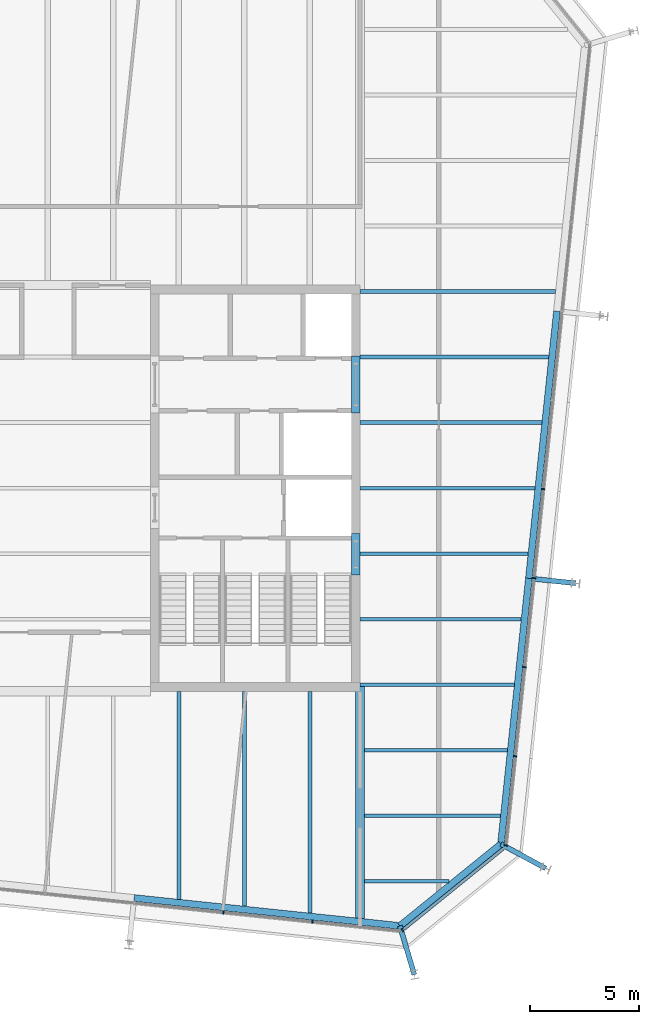
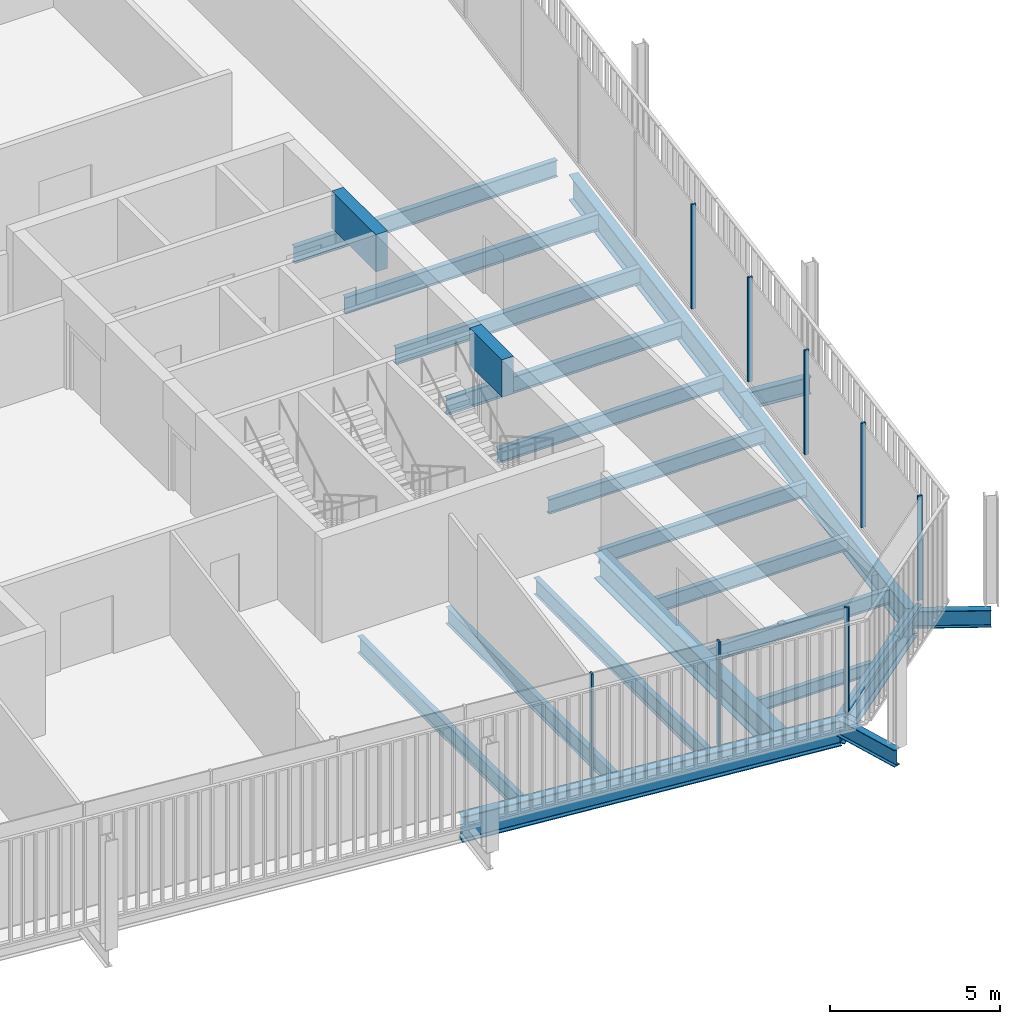
# One storey, part 9 of 20: 23 beams, 9 members, 3 elements without a shape of their own.
"""IFC4 building model written with IfcOpenShell, lengths in metres."""

from ifc_helpers import new_model, si_unit, direction, frame, origin, origin_2d, place, context, subcontext, project, spatial, rectangle, i_section, extrude, material, layer, layer_set, material_profile, profile_set, type_object, element, aggregate, save


model = new_model("IFC4")

# Units and contexts
model_context = context("Model", 3, precision=1e-05, world=origin(), true_north=direction((0.0, 1.0)))
body_context = subcontext(model_context, "Body", "Model", "MODEL_VIEW")
ifc_project = project(units=[si_unit("LENGTHUNIT", "METRE"), si_unit("AREAUNIT", "SQUARE_METRE"), si_unit("VOLUMEUNIT", "CUBIC_METRE"), si_unit("PLANEANGLEUNIT", "RADIAN"), si_unit("MASSUNIT", "GRAM", prefix="KILO")], contexts=[model_context])

# Site, building, storey
site_placement = place(None, origin())
site = spatial("IfcSite", under=ifc_project, at=site_placement, CompositionType="ELEMENT")
building_placement = place(site_placement, origin())
building = spatial("IfcBuilding", under=site, at=building_placement, Name="Millrace Tower", CompositionType="ELEMENT")
storey_placement = place(building_placement, frame((0.0, 0.0, 287.699951171875)))
storey = spatial("IfcBuildingStorey", under=building, at=storey_placement, Name="L66", CompositionType="ELEMENT", Elevation=287.699951171875)

# Curtain wall, members
ifc_material_1 = material(Name="Aluminium and glass", Category="aluminium")
ifc_layer = layer(ifc_material_1, 0.14990234375)
ifc_layer_set = layer_set([ifc_layer], Name="Aluminium and glass")
curtain_wall_type = type_object("IfcCurtainWallType", Name="CW-1 office vision curtain wall", PredefinedType="NOTDEFINED", material=ifc_layer_set)
placement = place(storey_placement, origin())
curtain_wall_1 = element("IfcCurtainWall", 1, at=placement, inside=storey, type_object=curtain_wall_type, Name="Curtain wall E-F02 L66", PredefinedType="NOTDEFINED")
ifc_material_2 = material(Name="Aluminium", Category="aluminium")
ifc_material_profile_1 = material_profile(ifc_material_2, rectangle(XDim=0.06494140625, YDim=0.14990234375, at=origin_2d()))
ifc_profile_set_1 = profile_set([ifc_material_profile_1], Name="Aluminium")
member_type_1 = type_object("IfcMemberType", Name="CW-1 office vision curtain wall mullion", PredefinedType="MULLION", material=ifc_profile_set_1)
member_1_placement = place(storey_placement, frame((8.040283203125, -19.4248046875, 0.14013671875), z_axis=(0.0, 0.0, 1.0), x_axis=(0.994521896217, -0.104528455196, 0.0)))
member_1 = element("IfcMember", 2, at=member_1_placement, type_object=member_type_1, Name="CW1 mullion E-F02.8", PredefinedType="MULLION", context=body_context, shape_type="SweptSolid", body=[
    extrude(rectangle(XDim=0.06494140625, YDim=0.14990234375, at=origin_2d()), origin(), (0.0, 0.0, 1.0), 3.760009765625),
])
member_2_placement = place(storey_placement, frame((12.117919921875, -19.853271484375, 0.14013671875), z_axis=(0.0, 0.0, 1.0), x_axis=(0.994521896217, -0.104528455196, 0.0)))
member_2 = element("IfcMember", 3, at=member_2_placement, type_object=member_type_1, Name="CW1 mullion E-F02.9", PredefinedType="MULLION", context=body_context, shape_type="SweptSolid", body=[
    extrude(rectangle(XDim=0.06494140625, YDim=0.14990234375, at=origin_2d()), origin(), (0.0, 0.0, 1.0), 3.760009765625),
])
aggregate(curtain_wall_1, [member_1, member_2])

# Curtain wall, member
curtain_wall_2 = element("IfcCurtainWall", 4, at=placement, inside=storey, type_object=curtain_wall_type, Name="Curtain wall E-F03 L66", PredefinedType="NOTDEFINED")
member_3_placement = place(storey_placement, frame((16.243408203125, -20.24169921875, 0.14013671875), z_axis=(0.0, 0.0, 1.0), x_axis=(0.777146052237, 0.629320278945, 0.0)))
member_3 = element("IfcMember", 5, at=member_3_placement, type_object=member_type_1, Name="CW1 mullion E-F03.1", PredefinedType="MULLION", context=body_context, shape_type="SweptSolid", body=[
    extrude(rectangle(XDim=0.06494140625, YDim=0.14990234375, at=origin_2d()), origin(), (0.0, 0.0, 1.0), 3.760009765625),
])

# Curtain wall, members
curtain_wall_3 = element("IfcCurtainWall", 6, at=placement, inside=storey, type_object=curtain_wall_type, Name="Curtain wall E-F04 L66", PredefinedType="NOTDEFINED")
member_4_placement = place(storey_placement, frame((20.974853515625, -16.3525390625, 0.14013671875), z_axis=(0.0, 0.0, 1.0), x_axis=(0.104528455196, 0.994521896217, 0.0)))
member_4 = element("IfcMember", 7, at=member_4_placement, type_object=member_type_1, Name="CW1 mullion E-F04.1", PredefinedType="MULLION", context=body_context, shape_type="SweptSolid", body=[
    extrude(rectangle(XDim=0.06494140625, YDim=0.14990234375, at=origin_2d()), origin(), (0.0, 0.0, 1.0), 3.760009765625),
])
member_5_placement = place(storey_placement, frame((21.4033203125, -12.27490234375, 0.14013671875), z_axis=(0.0, 0.0, 1.0), x_axis=(0.104528455196, 0.994521896217, 0.0)))
member_5 = element("IfcMember", 8, at=member_5_placement, type_object=member_type_1, Name="CW1 mullion E-F04.2", PredefinedType="MULLION", context=body_context, shape_type="SweptSolid", body=[
    extrude(rectangle(XDim=0.06494140625, YDim=0.14990234375, at=origin_2d()), origin(), (0.0, 0.0, 1.0), 3.760009765625),
])
member_6_placement = place(storey_placement, frame((21.83203125, -8.197509765625, 0.14013671875), z_axis=(0.0, 0.0, 1.0), x_axis=(0.104528455196, 0.994521896217, 0.0)))
member_6 = element("IfcMember", 9, at=member_6_placement, type_object=member_type_1, Name="CW1 mullion E-F04.3", PredefinedType="MULLION", context=body_context, shape_type="SweptSolid", body=[
    extrude(rectangle(XDim=0.06494140625, YDim=0.14990234375, at=origin_2d()), origin(), (0.0, 0.0, 1.0), 3.760009765625),
])
member_7_placement = place(storey_placement, frame((22.260498046875, -4.119873046875, 0.14013671875), z_axis=(0.0, 0.0, 1.0), x_axis=(0.104528455196, 0.994521896217, 0.0)))
member_7 = element("IfcMember", 10, at=member_7_placement, type_object=member_type_1, Name="CW1 mullion E-F04.4", PredefinedType="MULLION", context=body_context, shape_type="SweptSolid", body=[
    extrude(rectangle(XDim=0.06494140625, YDim=0.14990234375, at=origin_2d()), origin(), (0.0, 0.0, 1.0), 3.760009765625),
])
member_8_placement = place(storey_placement, frame((22.68896484375, -0.042236328125, 0.14013671875), z_axis=(0.0, 0.0, 1.0), x_axis=(0.104528455196, 0.994521896217, 0.0)))
member_8 = element("IfcMember", 11, at=member_8_placement, type_object=member_type_1, Name="CW1 mullion E-F04.5", PredefinedType="MULLION", context=body_context, shape_type="SweptSolid", body=[
    extrude(rectangle(XDim=0.06494140625, YDim=0.14990234375, at=origin_2d()), origin(), (0.0, 0.0, 1.0), 3.760009765625),
])
aggregate(curtain_wall_3, [member_4, member_5, member_6, member_7, member_8])

# Member
ifc_material_3 = material(Name="Aluminium", Category="aluminium")
ifc_material_profile_2 = material_profile(ifc_material_3, rectangle(XDim=0.14990234375, YDim=0.139892578125, at=origin_2d()))
ifc_profile_set_2 = profile_set([ifc_material_profile_2], Name="Aluminium")
member_type_2 = type_object("IfcMemberType", Name="CW-1 office vision curtain wall transom", PredefinedType="USERDEFINED", material=ifc_profile_set_2)
member_9_placement = place(storey_placement, frame((16.2958984375, -20.19921875, 0.070068359375), z_axis=(0.77714915117, 0.629316452061, 0.0), x_axis=(-0.629316452061, 0.77714915117, 0.0)))
member_9 = element("IfcMember", 12, at=member_9_placement, type_object=member_type_2, Name="CW1 transom E-F03.1", ObjectType="TRANSOM", PredefinedType="USERDEFINED", context=body_context, shape_type="SweptSolid", body=[
    extrude(rectangle(XDim=0.14990234375, YDim=0.139892578125, at=origin_2d()), origin(), (0.0, 0.0, 1.0), 5.880859375),
])

aggregate(curtain_wall_2, [member_3, member_9])

# Beams
ifc_material_4 = material(Name="Concrete C60", Category="concrete")
ifc_material_profile_3 = material_profile(ifc_material_4, rectangle(XDim=0.39990234375, YDim=1.340087890625, at=origin_2d()))
ifc_profile_set_3 = profile_set([ifc_material_profile_3], Name="Concrete C60")
beam_type_1 = type_object("IfcBeamType", Name="Coupling beam 400 x 1340 Concrete C60, 1300 opening", PredefinedType="BEAM", material=ifc_profile_set_3)
beam_1_placement = place(storey_placement, frame((14.10009765625, -2.080078125, 3.070068359375), z_axis=(0.0, -1.0, 0.0), x_axis=(1.0, 0.0, 0.0)))
element("IfcBeam", 13, at=beam_1_placement, inside=storey, type_object=beam_type_1, Name="Coupling beam E L66", PredefinedType="BEAM", context=body_context, shape_type="SweptSolid", body=[
    extrude(rectangle(XDim=0.39990234375, YDim=1.340087890625, at=origin_2d()), origin(), (0.0, 0.0, 1.0), 1.89990234375),
])
ifc_material_5 = material(Name="Concrete C60", Category="concrete")
ifc_material_profile_4 = material_profile(ifc_material_5, rectangle(XDim=0.39990234375, YDim=1.340087890625, at=origin_2d()))
ifc_profile_set_4 = profile_set([ifc_material_profile_4], Name="Concrete C60")
beam_type_2 = type_object("IfcBeamType", Name="Coupling beam 400 x 1340 Concrete C60, 2000 opening", PredefinedType="BEAM", material=ifc_profile_set_4)
beam_2_placement = place(storey_placement, frame((14.10009765625, 6.050048828125, 3.070068359375), z_axis=(0.0, -1.0, 0.0), x_axis=(1.0, 0.0, 0.0)))
element("IfcBeam", 14, at=beam_2_placement, inside=storey, type_object=beam_type_2, Name="Coupling beam E L66", PredefinedType="BEAM", context=body_context, shape_type="SweptSolid", body=[
    extrude(rectangle(XDim=0.39990234375, YDim=1.340087890625, at=origin_2d()), origin(), (0.0, 0.0, 1.0), 2.60009765625),
])
ifc_material_6 = material(Name="Steel ASTM A992 Grade 50", Category="steel")
ifc_material_profile_5 = material_profile(ifc_material_6, i_section(OverallWidth=0.15234375, OverallDepth=0.449462890625, WebThickness=0.007568359375, FlangeThickness=0.0107421875, FilletRadius=0.01025390625, at=origin_2d()))
ifc_profile_set_5 = profile_set([ifc_material_profile_5], Name="Steel ASTM A992 Grade 50")
beam_type_3 = type_object("IfcBeamType", Name="Floor beam W18x35", PredefinedType="JOIST", material=ifc_profile_set_5)
beam_3_placement = place(storey_placement, frame((14.509521484375, -18.0, -0.384765625), z_axis=(1.0, 0.0, 0.0), x_axis=(0.0, 1.0, 0.0)))
element("IfcBeam", 15, at=beam_3_placement, inside=storey, type_object=beam_type_3, Name="BM-E-L66-S1-S001", PredefinedType="JOIST", context=body_context, shape_type="SweptSolid", body=[
    extrude(i_section(OverallWidth=0.15234375, OverallDepth=0.449462890625, WebThickness=0.007568359375, FlangeThickness=0.0107421875, FilletRadius=0.01025390625, at=origin_2d()), origin(), (0.0, 0.0, 1.0), 3.87060546875),
])
ifc_material_7 = material(Name="Steel ASTM A992 Grade 50", Category="steel")
ifc_material_profile_6 = material_profile(ifc_material_7, i_section(OverallWidth=0.1650390625, OverallDepth=0.52587890625, WebThickness=0.0087890625, FlangeThickness=0.011474609375, FilletRadius=0.0126953125, at=origin_2d()))
ifc_profile_set_6 = profile_set([ifc_material_profile_6], Name="Steel ASTM A992 Grade 50")
beam_type_4 = type_object("IfcBeamType", Name="Floor beam W21x44", PredefinedType="JOIST", material=ifc_profile_set_6)
beam_4_placement = place(storey_placement, frame((14.509521484375, -15.0, -0.4228515625), z_axis=(1.0, 0.0, 0.0), x_axis=(0.0, 1.0, 0.0)))
element("IfcBeam", 16, at=beam_4_placement, inside=storey, type_object=beam_type_4, Name="BM-E-L66-S1-S003", PredefinedType="JOIST", context=body_context, shape_type="SweptSolid", body=[
    extrude(i_section(OverallWidth=0.1650390625, OverallDepth=0.52587890625, WebThickness=0.0087890625, FlangeThickness=0.011474609375, FilletRadius=0.0126953125, at=origin_2d()), origin(), (0.0, 0.0, 1.0), 6.222900390625),
])
beam_5_placement = place(storey_placement, frame((14.509521484375, -12.0, -0.4228515625), z_axis=(1.0, 0.0, 0.0), x_axis=(0.0, 1.0, 0.0)))
element("IfcBeam", 17, at=beam_5_placement, inside=storey, type_object=beam_type_4, Name="BM-E-L66-S1-S005", PredefinedType="JOIST", context=body_context, shape_type="SweptSolid", body=[
    extrude(i_section(OverallWidth=0.1650390625, OverallDepth=0.52587890625, WebThickness=0.0087890625, FlangeThickness=0.011474609375, FilletRadius=0.0126953125, at=origin_2d()), origin(), (0.0, 0.0, 1.0), 6.538330078125),
])
beam_6_placement = place(storey_placement, frame((14.300048828125, -9.0, -0.4228515625), z_axis=(1.0, 0.0, 0.0), x_axis=(0.0, 1.0, 0.0)))
element("IfcBeam", 18, at=beam_6_placement, inside=storey, type_object=beam_type_4, Name="BM-E-L66-S1-S007", PredefinedType="JOIST", context=body_context, shape_type="SweptSolid", body=[
    extrude(i_section(OverallWidth=0.1650390625, OverallDepth=0.52587890625, WebThickness=0.0087890625, FlangeThickness=0.011474609375, FilletRadius=0.0126953125, at=origin_2d()), origin(), (0.0, 0.0, 1.0), 7.06298828125),
])
beam_7_placement = place(storey_placement, frame((14.300048828125, -6.0, -0.4228515625), z_axis=(1.0, 0.0, 0.0), x_axis=(0.0, 1.0, 0.0)))
element("IfcBeam", 19, at=beam_7_placement, inside=storey, type_object=beam_type_4, Name="BM-E-L66-S1-S010", PredefinedType="JOIST", context=body_context, shape_type="SweptSolid", body=[
    extrude(i_section(OverallWidth=0.1650390625, OverallDepth=0.52587890625, WebThickness=0.0087890625, FlangeThickness=0.011474609375, FilletRadius=0.0126953125, at=origin_2d()), origin(), (0.0, 0.0, 1.0), 7.37841796875),
])
beam_8_placement = place(storey_placement, frame((14.300048828125, -3.0, -0.4228515625), z_axis=(1.0, 0.0, 0.0), x_axis=(0.0, 1.0, 0.0)))
element("IfcBeam", 20, at=beam_8_placement, inside=storey, type_object=beam_type_4, Name="BM-E-L66-S1-S013", PredefinedType="JOIST", context=body_context, shape_type="SweptSolid", body=[
    extrude(i_section(OverallWidth=0.1650390625, OverallDepth=0.52587890625, WebThickness=0.0087890625, FlangeThickness=0.011474609375, FilletRadius=0.0126953125, at=origin_2d()), origin(), (0.0, 0.0, 1.0), 7.693603515625),
])
ifc_material_8 = material(Name="Steel ASTM A992 Grade 50", Category="steel")
ifc_material_profile_7 = material_profile(ifc_material_8, i_section(OverallWidth=0.177978515625, OverallDepth=0.599365234375, WebThickness=0.010009765625, FlangeThickness=0.012939453125, FilletRadius=0.012939453125, at=origin_2d()))
ifc_profile_set_7 = profile_set([ifc_material_profile_7], Name="Steel ASTM A992 Grade 50")
beam_type_5 = type_object("IfcBeamType", Name="Floor beam W24x55", PredefinedType="JOIST", material=ifc_profile_set_7)
beam_9_placement = place(storey_placement, frame((14.300048828125, 0.0, -0.459716796875), z_axis=(1.0, 0.0, 0.0), x_axis=(0.0, 1.0, 0.0)))
element("IfcBeam", 21, at=beam_9_placement, inside=storey, type_object=beam_type_5, Name="BM-E-L66-S1-S016", PredefinedType="JOIST", context=body_context, shape_type="SweptSolid", body=[
    extrude(i_section(OverallWidth=0.177978515625, OverallDepth=0.599365234375, WebThickness=0.010009765625, FlangeThickness=0.012939453125, FilletRadius=0.012939453125, at=origin_2d()), origin(), (0.0, 0.0, 1.0), 8.009033203125),
])
beam_10_placement = place(storey_placement, frame((14.300048828125, 3.0, -0.459716796875), z_axis=(1.0, 0.0, 0.0), x_axis=(0.0, 1.0, 0.0)))
element("IfcBeam", 22, at=beam_10_placement, inside=storey, type_object=beam_type_5, Name="BM-E-L66-S1-S019", PredefinedType="JOIST", context=body_context, shape_type="SweptSolid", body=[
    extrude(i_section(OverallWidth=0.177978515625, OverallDepth=0.599365234375, WebThickness=0.010009765625, FlangeThickness=0.012939453125, FilletRadius=0.012939453125, at=origin_2d()), origin(), (0.0, 0.0, 1.0), 8.324462890625),
])
beam_11_placement = place(storey_placement, frame((14.300048828125, 6.0, -0.459716796875), z_axis=(1.0, 0.0, 0.0), x_axis=(0.0, 1.0, 0.0)))
element("IfcBeam", 23, at=beam_11_placement, inside=storey, type_object=beam_type_5, Name="BM-E-L66-S1-S022", PredefinedType="JOIST", context=body_context, shape_type="SweptSolid", body=[
    extrude(i_section(OverallWidth=0.177978515625, OverallDepth=0.599365234375, WebThickness=0.010009765625, FlangeThickness=0.012939453125, FilletRadius=0.012939453125, at=origin_2d()), origin(), (0.0, 0.0, 1.0), 8.6396484375),
])
beam_12_placement = place(storey_placement, frame((14.300048828125, 9.0, -0.459716796875), z_axis=(1.0, 0.0, 0.0), x_axis=(0.0, 1.0, 0.0)))
element("IfcBeam", 24, at=beam_12_placement, inside=storey, type_object=beam_type_5, Name="BM-E-L66-S1-S024", PredefinedType="JOIST", context=body_context, shape_type="SweptSolid", body=[
    extrude(i_section(OverallWidth=0.177978515625, OverallDepth=0.599365234375, WebThickness=0.010009765625, FlangeThickness=0.012939453125, FilletRadius=0.012939453125, at=origin_2d()), origin(), (0.0, 0.0, 1.0), 8.955078125),
])
beam_13_placement = place(storey_placement, frame((6.0, -18.825927734375, -0.459716796875), z_axis=(0.0, 1.0, 0.0), x_axis=(-1.0, 0.0, 0.0)))
element("IfcBeam", 25, at=beam_13_placement, inside=storey, type_object=beam_type_5, Name="BM-E-L66-S1-S049", PredefinedType="JOIST", context=body_context, shape_type="SweptSolid", body=[
    extrude(i_section(OverallWidth=0.177978515625, OverallDepth=0.599365234375, WebThickness=0.010009765625, FlangeThickness=0.012939453125, FilletRadius=0.012939453125, at=origin_2d()), origin(), (0.0, 0.0, 1.0), 9.52587890625),
])
beam_14_placement = place(storey_placement, frame((9.0, -19.14111328125, -0.459716796875), z_axis=(0.0, 1.0, 0.0), x_axis=(-1.0, 0.0, 0.0)))
element("IfcBeam", 26, at=beam_14_placement, inside=storey, type_object=beam_type_5, Name="BM-E-L66-S1-S051", PredefinedType="JOIST", context=body_context, shape_type="SweptSolid", body=[
    extrude(i_section(OverallWidth=0.177978515625, OverallDepth=0.599365234375, WebThickness=0.010009765625, FlangeThickness=0.012939453125, FilletRadius=0.012939453125, at=origin_2d()), origin(), (0.0, 0.0, 1.0), 9.841064453125),
])
ifc_material_9 = material(Name="Steel ASTM A992 Grade 50", Category="steel")
ifc_material_profile_8 = material_profile(ifc_material_9, i_section(OverallWidth=0.1787109375, OverallDepth=0.60205078125, WebThickness=0.010986328125, FlangeThickness=0.014892578125, FilletRadius=0.0126953125, at=origin_2d()))
ifc_profile_set_8 = profile_set([ifc_material_profile_8], Name="Steel ASTM A992 Grade 50")
beam_type_6 = type_object("IfcBeamType", Name="Floor beam W24x62", PredefinedType="JOIST", material=ifc_profile_set_8)
beam_15_placement = place(storey_placement, frame((12.0, -19.45654296875, -0.4609375), z_axis=(0.0, 1.0, 0.0), x_axis=(-1.0, 0.0, 0.0)))
element("IfcBeam", 27, at=beam_15_placement, inside=storey, type_object=beam_type_6, Name="BM-E-L66-S1-S053", PredefinedType="JOIST", context=body_context, shape_type="SweptSolid", body=[
    extrude(i_section(OverallWidth=0.1787109375, OverallDepth=0.60205078125, WebThickness=0.010986328125, FlangeThickness=0.014892578125, FilletRadius=0.0126953125, at=origin_2d()), origin(), (0.0, 0.0, 1.0), 10.156494140625),
])
ifc_material_10 = material(Name="Steel ASTM A992 Grade 50", Category="steel")
ifc_material_profile_9 = material_profile(ifc_material_10, i_section(OverallWidth=0.419189453125, OverallDepth=0.927001953125, WebThickness=0.019287109375, FlangeThickness=0.031982421875, FilletRadius=0.024169921875, at=origin_2d()))
ifc_profile_set_9 = profile_set([ifc_material_profile_9], Name="Steel ASTM A992 Grade 50")
beam_type_7 = type_object("IfcBeamType", Name="Girder short span W36x231", PredefinedType="BEAM", material=ifc_profile_set_9)
beam_16_placement = place(storey_placement, frame((14.300048828125, -19.6982421875, -0.62353515625), z_axis=(0.0, 1.0, 0.0), x_axis=(-1.0, 0.0, 0.0)))
element("IfcBeam", 28, at=beam_16_placement, inside=storey, type_object=beam_type_7, Name="BM-E-L66-S1-G057", PredefinedType="BEAM", context=body_context, shape_type="SweptSolid", body=[
    extrude(i_section(OverallWidth=0.419189453125, OverallDepth=0.927001953125, WebThickness=0.019287109375, FlangeThickness=0.031982421875, FilletRadius=0.024169921875, at=origin_2d()), origin(), (0.0, 0.0, 1.0), 10.6142578125),
])
ifc_material_11 = material(Name="Steel ASTM A992 Grade 50", Category="steel")
ifc_material_profile_10 = material_profile(ifc_material_11, i_section(OverallWidth=0.23046875, OverallDepth=0.6171875, WebThickness=0.01318359375, FlangeThickness=0.022216796875, FilletRadius=0.012939453125, at=origin_2d()))
ifc_profile_set_10 = profile_set([ifc_material_profile_10], Name="Steel ASTM A992 Grade 50")
beam_type_8 = type_object("IfcBeamType", Name="Link beam W24x94", PredefinedType="BEAM", material=ifc_profile_set_10)
beam_17_placement = place(storey_placement, frame((22.1826171875, -4.144287109375, -0.468505859375), z_axis=(0.99452550138, -0.104494148666, 0.0), x_axis=(0.104494148666, 0.99452550138, 0.0)))
element("IfcBeam", 29, at=beam_17_placement, inside=storey, type_object=beam_type_8, Name="LNK-E-L66-S1-11", PredefinedType="BEAM", context=body_context, shape_type="SweptSolid", body=[
    extrude(i_section(OverallWidth=0.23046875, OverallDepth=0.6171875, WebThickness=0.01318359375, FlangeThickness=0.022216796875, FilletRadius=0.012939453125, at=origin_2d()), origin(), (0.0, 0.0, 1.0), 2.0),
])
for number, where, z_axis, x_axis, name in (
    (30, (20.750732421875, -16.297607421875, -0.468505859375), (0.87881453358, -0.477163510307, 0.0), (0.477163510307, 0.87881453358, 0.0), "LNK-E-L66-S1-12"),
    (31, (16.123779296875, -20.04443359375, -0.468505859375), (0.283934988541, -0.958843533785, 0.0), (0.958843533785, 0.283934988541, 0.0), "LNK-E-L66-S1-13"),
):
    element("IfcBeam", number, at=place(storey_placement, frame(where, z_axis=z_axis, x_axis=x_axis)), inside=storey, type_object=beam_type_8, Name=name, PredefinedType="BEAM", context=body_context, shape_type="SweptSolid", body=[
        extrude(i_section(OverallWidth=0.23046875, OverallDepth=0.6171875, WebThickness=0.01318359375, FlangeThickness=0.022216796875, FilletRadius=0.012939453125, at=origin_2d()), origin(), (0.0, 0.0, 1.0), 2.3310546875),
    ])
ifc_material_12 = material(Name="Steel ASTM A992 Grade 50", Category="steel")
ifc_material_profile_11 = material_profile(ifc_material_12, i_section(OverallWidth=0.307373046875, OverallDepth=0.927001953125, WebThickness=0.01953125, FlangeThickness=0.031982421875, FilletRadius=0.01904296875, at=origin_2d()))
ifc_profile_set_11 = profile_set([ifc_material_profile_11], Name="Steel ASTM A992 Grade 50")
beam_type_9 = type_object("IfcBeamType", Name="Ring beam medium span W36x194", PredefinedType="SPANDREL", material=ifc_profile_set_11)
beam_18_placement = place(storey_placement, frame((23.3154296875, 8.104248046875, -0.62353515625), z_axis=(-0.10452566363, -0.994522189618, 0.0), x_axis=(0.994522189618, -0.10452566363, 0.0)))
element("IfcBeam", 32, at=beam_18_placement, inside=storey, type_object=beam_type_9, Name="RNG-E-L66-S1-10", PredefinedType="SPANDREL", context=body_context, shape_type="SweptSolid", body=[
    extrude(i_section(OverallWidth=0.307373046875, OverallDepth=0.927001953125, WebThickness=0.01953125, FlangeThickness=0.031982421875, FilletRadius=0.01904296875, at=origin_2d()), origin(), (0.0, 0.0, 1.0), 12.2998046875),
])
for number, where, z_axis, x_axis, name in (
    (33, (22.02978515625, -4.128173828125, -0.62353515625), (-0.104527955888, -0.994521948696, 0.0), (0.994521948696, -0.104527955888, 0.0), "RNG-E-L66-S1-11"),
    (34, (16.123779296875, -20.04443359375, -0.62353515625), (-0.994521948696, 0.104527955888, 0.0), (-0.104527955888, -0.994521948696, 0.0), "RNG-E-L66-S1-13"),
):
    element("IfcBeam", number, at=place(storey_placement, frame(where, z_axis=z_axis, x_axis=x_axis)), inside=storey, type_object=beam_type_9, Name=name, PredefinedType="SPANDREL", context=body_context, shape_type="SweptSolid", body=[
        extrude(i_section(OverallWidth=0.307373046875, OverallDepth=0.927001953125, WebThickness=0.01953125, FlangeThickness=0.031982421875, FilletRadius=0.01904296875, at=origin_2d()), origin(), (0.0, 0.0, 1.0), 12.236572265625),
    ])
ifc_material_13 = material(Name="Steel ASTM A992 Grade 50", Category="steel")
ifc_material_profile_12 = material_profile(ifc_material_13, i_section(OverallWidth=0.307373046875, OverallDepth=0.927001953125, WebThickness=0.01953125, FlangeThickness=0.031982421875, FilletRadius=0.01904296875, at=origin_2d()))
ifc_profile_set_12 = profile_set([ifc_material_profile_12], Name="Steel ASTM A992 Grade 50")
beam_type_10 = type_object("IfcBeamType", Name="Ring beam short span W36x194", PredefinedType="SPANDREL", material=ifc_profile_set_12)
beam_19_placement = place(storey_placement, frame((20.750732421875, -16.297607421875, -0.62353515625), z_axis=(-0.777146502883, -0.629319722443, 0.0), x_axis=(0.629319722443, -0.777146502883, 0.0)))
element("IfcBeam", 35, at=beam_19_placement, inside=storey, type_object=beam_type_10, Name="RNG-E-L66-S1-12", PredefinedType="SPANDREL", context=body_context, shape_type="SweptSolid", body=[
    extrude(i_section(OverallWidth=0.307373046875, OverallDepth=0.927001953125, WebThickness=0.01953125, FlangeThickness=0.031982421875, FilletRadius=0.01904296875, at=origin_2d()), origin(), (0.0, 0.0, 1.0), 5.953857421875),
])

save(model, "model.ifc")
